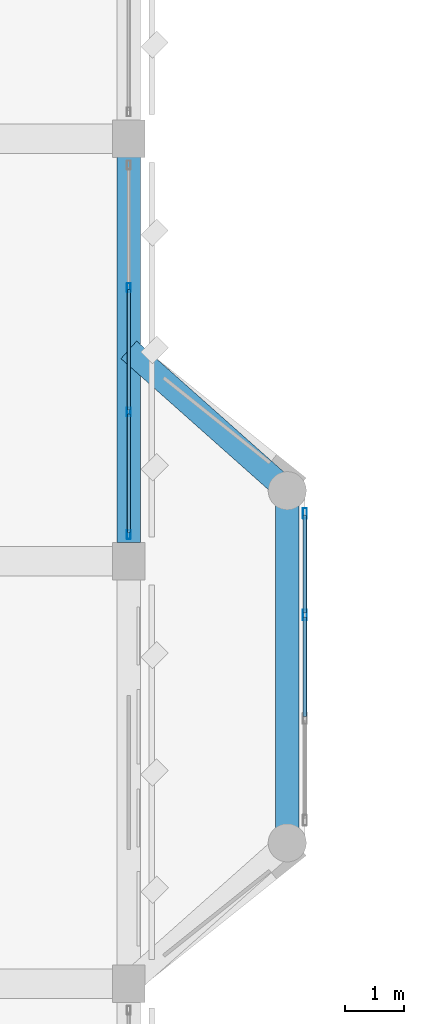
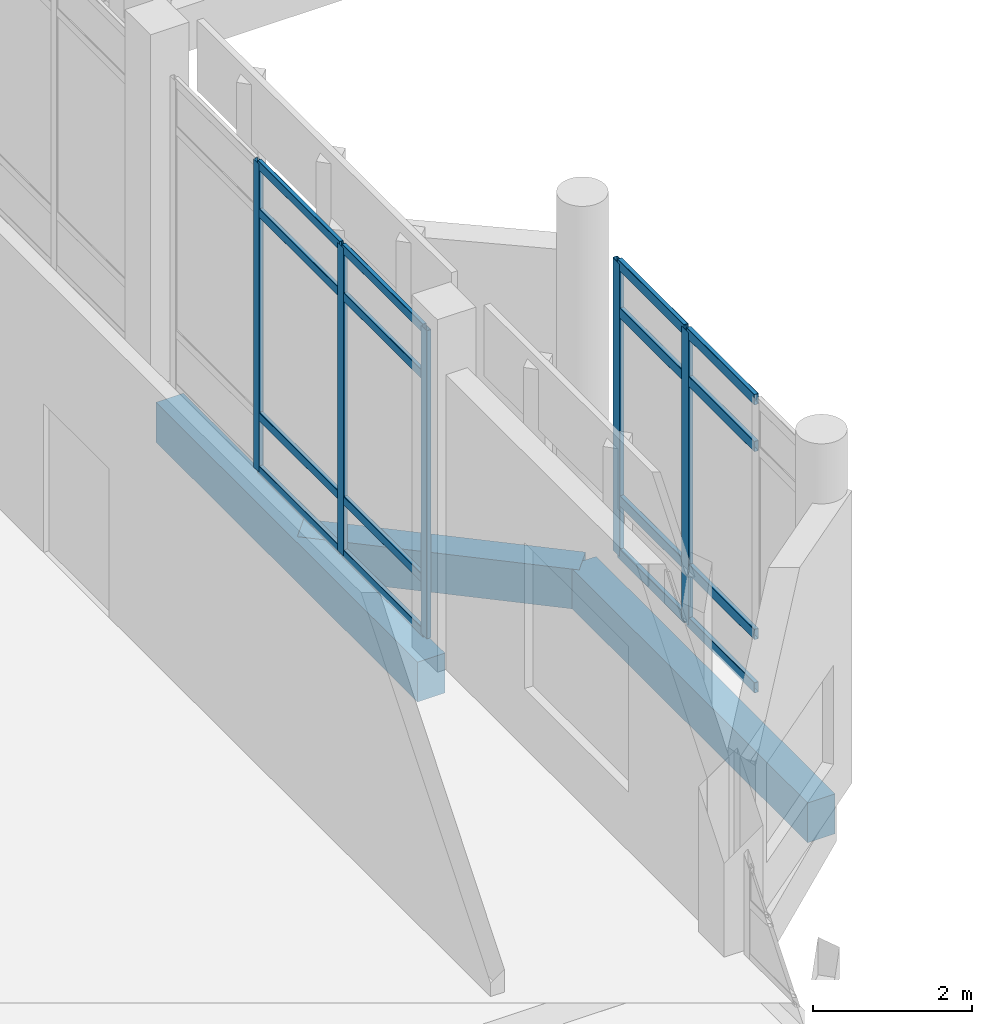
# One storey, part 62 of 180: 21 members, 3 beams, 2 elements without a shape of their own.
"""IFC4 building model written with IfcOpenShell, lengths in metres."""

from ifc_helpers import new_model, si_unit, direction, frame, origin, origin_2d, place, context, subcontext, project, spatial, rectangle, hollow_rectangle, extrude, material, material_profile, profile_set, type_object, element, aggregate, save


model = new_model("IFC4")

# Units and contexts
model_context = context("Model", 3, precision=1e-05, world=origin(), true_north=direction((0.0, 1.0)))
body_context = subcontext(model_context, "Body", "Model", "MODEL_VIEW")
ifc_project = project(units=[si_unit("LENGTHUNIT", "METRE"), si_unit("AREAUNIT", "SQUARE_METRE"), si_unit("VOLUMEUNIT", "CUBIC_METRE"), si_unit("PLANEANGLEUNIT", "RADIAN"), si_unit("MASSUNIT", "GRAM", prefix="KILO")], contexts=[model_context])

# Site, building, storey
site_placement = place(None, origin())
site = spatial("IfcSite", under=ifc_project, at=site_placement, CompositionType="ELEMENT")
building_placement = place(site_placement, origin())
building = spatial("IfcBuilding", under=site, at=building_placement, Name="Lusvemor Sports Hall", CompositionType="ELEMENT")
storey_placement = place(building_placement, frame((0.0, 0.0, 5.39990234375)))
storey = spatial("IfcBuildingStorey", under=building, at=storey_placement, Name="L01", CompositionType="ELEMENT", Elevation=5.39990234375)

# Curtain wall, members
ifc_material_1 = material(Name="Thermally broken bronze-anodized aluminium", Category="aluminium")
curtain_wall_type_1 = type_object("IfcCurtainWallType", Name="CW_FOYER_A", PredefinedType="NOTDEFINED", material=ifc_material_1)
curtain_wall_1_placement = place(storey_placement, origin())
curtain_wall_1 = element("IfcCurtainWall", 1, at=curtain_wall_1_placement, inside=storey, type_object=curtain_wall_type_1, Name="Curtain Wall CW-BOW-CT-L01-M", PredefinedType="NOTDEFINED")
ifc_material_2 = material(Name="Thermally broken bronze-anodized aluminium", Category="aluminium")
ifc_material_profile_1 = material_profile(ifc_material_2, hollow_rectangle(XDim=0.070068359375, YDim=0.179931640625, WallThickness=0.0048828125, InnerFilletRadius=0.0048828125, OuterFilletRadius=0.010009765625, at=origin_2d()), Name="CWMUL180x70x5")
ifc_profile_set_1 = profile_set([ifc_material_profile_1], Name="Thermally broken bronze-anodized aluminium")
member_type_1 = type_object("IfcMemberType", Name="CW_MUL_A", PredefinedType="MULLION", material=ifc_profile_set_1)
member_1_placement = place(storey_placement, frame((24.60009765625, 83.614990234375, 0.0), z_axis=(0.0, 0.0, 1.0), x_axis=(1.0, 0.0, 0.0)))
member_1 = element("IfcMember", 2, at=member_1_placement, type_object=member_type_1, Name="CW01 mullion 1", PredefinedType="MULLION", context=body_context, shape_type="SweptSolid", body=[
    extrude(hollow_rectangle(XDim=0.070068359375, YDim=0.179931640625, WallThickness=0.0048828125, InnerFilletRadius=0.0048828125, OuterFilletRadius=0.010009765625, at=origin_2d()), origin(), (0.0, 0.0, 1.0), 4.47998046875),
])
member_2_placement = place(storey_placement, frame((24.60009765625, 81.88330078125, 0.0), z_axis=(0.0, 0.0, 1.0), x_axis=(1.0, 0.0, 0.0)))
member_2 = element("IfcMember", 3, at=member_2_placement, type_object=member_type_1, Name="CW01 mullion 2", PredefinedType="MULLION", context=body_context, shape_type="SweptSolid", body=[
    extrude(hollow_rectangle(XDim=0.070068359375, YDim=0.179931640625, WallThickness=0.0048828125, InnerFilletRadius=0.0048828125, OuterFilletRadius=0.010009765625, at=origin_2d()), origin(), (0.0, 0.0, 1.0), 4.47998046875),
])

ifc_material_3 = material(Name="Thermally broken bronze-anodized aluminium", Category="aluminium")
curtain_wall_type_2 = type_object("IfcCurtainWallType", Name="CW_WING_B", PredefinedType="NOTDEFINED", material=ifc_material_3)
curtain_wall_2_placement = place(storey_placement, origin())
curtain_wall_2 = element("IfcCurtainWall", 4, at=curtain_wall_2_placement, inside=storey, type_object=curtain_wall_type_2, Name="Curtain Wall CW-L01-E-4-5", PredefinedType="NOTDEFINED")
ifc_material_4 = material(Name="Thermally broken bronze-anodized aluminium", Category="aluminium")
ifc_material_profile_2 = material_profile(ifc_material_4, hollow_rectangle(XDim=0.06494140625, YDim=0.14990234375, WallThickness=0.00390625, InnerFilletRadius=0.00390625, OuterFilletRadius=0.008056640625, at=origin_2d()), Name="CWMUL150x65x4")
ifc_profile_set_2 = profile_set([ifc_material_profile_2], Name="Thermally broken bronze-anodized aluminium")
member_type_2 = type_object("IfcMemberType", Name="CW_MUL_B", PredefinedType="MULLION", material=ifc_profile_set_2)
member_3_placement = place(storey_placement, frame((21.60009765625, 87.4599609375, 0.0), z_axis=(0.0, 0.0, 1.0), x_axis=(1.0, 0.0, 0.0)))
member_3 = element("IfcMember", 5, at=member_3_placement, type_object=member_type_2, Name="CW02 mullion 2", PredefinedType="MULLION", context=body_context, shape_type="SweptSolid", body=[
    extrude(hollow_rectangle(XDim=0.06494140625, YDim=0.14990234375, WallThickness=0.00390625, InnerFilletRadius=0.00390625, OuterFilletRadius=0.008056640625, at=origin_2d()), origin(), (0.0, 0.0, 1.0), 4.72021484375),
])
member_4_placement = place(storey_placement, frame((21.60009765625, 85.340087890625, 0.0), z_axis=(0.0, 0.0, 1.0), x_axis=(1.0, 0.0, 0.0)))
member_4 = element("IfcMember", 6, at=member_4_placement, type_object=member_type_2, Name="CW02 mullion 3", PredefinedType="MULLION", context=body_context, shape_type="SweptSolid", body=[
    extrude(hollow_rectangle(XDim=0.06494140625, YDim=0.14990234375, WallThickness=0.00390625, InnerFilletRadius=0.00390625, OuterFilletRadius=0.008056640625, at=origin_2d()), origin(), (0.0, 0.0, 1.0), 4.72021484375),
])
member_5_placement = place(storey_placement, frame((21.60009765625, 83.25244140625, 0.0), z_axis=(0.0, 0.0, 1.0), x_axis=(1.0, 0.0, 0.0)))
member_5 = element("IfcMember", 7, at=member_5_placement, type_object=member_type_2, Name="CW02 mullion 4", PredefinedType="MULLION", context=body_context, shape_type="SweptSolid", body=[
    extrude(hollow_rectangle(XDim=0.06494140625, YDim=0.14990234375, WallThickness=0.00390625, InnerFilletRadius=0.00390625, OuterFilletRadius=0.008056640625, at=origin_2d()), origin(), (0.0, 0.0, 1.0), 4.72021484375),
])

# Member
ifc_material_5 = material(Name="Thermally broken bronze-anodized aluminium", Category="aluminium")
ifc_material_profile_3 = material_profile(ifc_material_5, hollow_rectangle(XDim=0.06494140625, YDim=0.159912109375, WallThickness=0.00390625, InnerFilletRadius=0.00390625, OuterFilletRadius=0.008056640625, at=origin_2d()), Name="CWTRN160x65x4")
ifc_profile_set_3 = profile_set([ifc_material_profile_3], Name="Thermally broken bronze-anodized aluminium")
member_type_3 = type_object("IfcMemberType", Name="CW_TRN_A", PredefinedType="USERDEFINED", material=ifc_profile_set_3)
member_6_placement = place(storey_placement, frame((24.60009765625, 83.580078125, 0.03271484375), z_axis=(0.0, -1.0, 0.0), x_axis=(1.0, 0.0, 0.0)))
member_6 = element("IfcMember", 8, at=member_6_placement, type_object=member_type_3, Name="CW01 transom 1.1", ObjectType="TRANSOM", PredefinedType="USERDEFINED", context=body_context, shape_type="SweptSolid", body=[
    extrude(hollow_rectangle(XDim=0.06494140625, YDim=0.159912109375, WallThickness=0.00390625, InnerFilletRadius=0.00390625, OuterFilletRadius=0.008056640625, at=origin_2d()), origin(), (0.0, 0.0, 1.0), 1.661865234375),
])

member_7_placement = place(storey_placement, frame((24.60009765625, 83.580078125, 0.85009765625), z_axis=(0.0, -1.0, 0.0), x_axis=(1.0, 0.0, 0.0)))
member_7 = element("IfcMember", 9, at=member_7_placement, type_object=member_type_3, Name="CW01 transom 1.2", ObjectType="TRANSOM", PredefinedType="USERDEFINED", context=body_context, shape_type="SweptSolid", body=[
    extrude(hollow_rectangle(XDim=0.06494140625, YDim=0.159912109375, WallThickness=0.00390625, InnerFilletRadius=0.00390625, OuterFilletRadius=0.008056640625, at=origin_2d()), origin(), (0.0, 0.0, 1.0), 1.661865234375),
])

member_8_placement = place(storey_placement, frame((24.60009765625, 83.580078125, 3.72998046875), z_axis=(0.0, -1.0, 0.0), x_axis=(1.0, 0.0, 0.0)))
member_8 = element("IfcMember", 10, at=member_8_placement, type_object=member_type_3, Name="CW01 transom 1.3", ObjectType="TRANSOM", PredefinedType="USERDEFINED", context=body_context, shape_type="SweptSolid", body=[
    extrude(hollow_rectangle(XDim=0.06494140625, YDim=0.159912109375, WallThickness=0.00390625, InnerFilletRadius=0.00390625, OuterFilletRadius=0.008056640625, at=origin_2d()), origin(), (0.0, 0.0, 1.0), 1.661865234375),
])

member_9_placement = place(storey_placement, frame((24.60009765625, 83.580078125, 4.447509765625), z_axis=(0.0, -1.0, 0.0), x_axis=(1.0, 0.0, 0.0)))
member_9 = element("IfcMember", 11, at=member_9_placement, type_object=member_type_3, Name="CW01 transom 1.4", ObjectType="TRANSOM", PredefinedType="USERDEFINED", context=body_context, shape_type="SweptSolid", body=[
    extrude(hollow_rectangle(XDim=0.06494140625, YDim=0.159912109375, WallThickness=0.00390625, InnerFilletRadius=0.00390625, OuterFilletRadius=0.008056640625, at=origin_2d()), origin(), (0.0, 0.0, 1.0), 1.661865234375),
])

member_10_placement = place(storey_placement, frame((24.60009765625, 81.848388671875, 0.03271484375), z_axis=(0.0, -1.0, 0.0), x_axis=(1.0, 0.0, 0.0)))
member_10 = element("IfcMember", 12, at=member_10_placement, type_object=member_type_3, Name="CW01 transom 2.1", ObjectType="TRANSOM", PredefinedType="USERDEFINED", context=body_context, shape_type="SweptSolid", body=[
    extrude(hollow_rectangle(XDim=0.06494140625, YDim=0.159912109375, WallThickness=0.00390625, InnerFilletRadius=0.00390625, OuterFilletRadius=0.008056640625, at=origin_2d()), origin(), (0.0, 0.0, 1.0), 1.69677734375),
])

member_11_placement = place(storey_placement, frame((24.60009765625, 81.848388671875, 0.85009765625), z_axis=(0.0, -1.0, 0.0), x_axis=(1.0, 0.0, 0.0)))
member_11 = element("IfcMember", 13, at=member_11_placement, type_object=member_type_3, Name="CW01 transom 2.2", ObjectType="TRANSOM", PredefinedType="USERDEFINED", context=body_context, shape_type="SweptSolid", body=[
    extrude(hollow_rectangle(XDim=0.06494140625, YDim=0.159912109375, WallThickness=0.00390625, InnerFilletRadius=0.00390625, OuterFilletRadius=0.008056640625, at=origin_2d()), origin(), (0.0, 0.0, 1.0), 1.69677734375),
])

member_12_placement = place(storey_placement, frame((24.60009765625, 81.848388671875, 3.72998046875), z_axis=(0.0, -1.0, 0.0), x_axis=(1.0, 0.0, 0.0)))
member_12 = element("IfcMember", 14, at=member_12_placement, type_object=member_type_3, Name="CW01 transom 2.3", ObjectType="TRANSOM", PredefinedType="USERDEFINED", context=body_context, shape_type="SweptSolid", body=[
    extrude(hollow_rectangle(XDim=0.06494140625, YDim=0.159912109375, WallThickness=0.00390625, InnerFilletRadius=0.00390625, OuterFilletRadius=0.008056640625, at=origin_2d()), origin(), (0.0, 0.0, 1.0), 1.69677734375),
])

member_13_placement = place(storey_placement, frame((24.60009765625, 81.848388671875, 4.447509765625), z_axis=(0.0, -1.0, 0.0), x_axis=(1.0, 0.0, 0.0)))
member_13 = element("IfcMember", 15, at=member_13_placement, type_object=member_type_3, Name="CW01 transom 2.4", ObjectType="TRANSOM", PredefinedType="USERDEFINED", context=body_context, shape_type="SweptSolid", body=[
    extrude(hollow_rectangle(XDim=0.06494140625, YDim=0.159912109375, WallThickness=0.00390625, InnerFilletRadius=0.00390625, OuterFilletRadius=0.008056640625, at=origin_2d()), origin(), (0.0, 0.0, 1.0), 1.69677734375),
])

aggregate(curtain_wall_1, [member_1, member_2, member_6, member_7, member_8, member_9, member_10, member_11, member_12, member_13])

ifc_material_6 = material(Name="Thermally broken bronze-anodized aluminium", Category="aluminium")
ifc_material_profile_4 = material_profile(ifc_material_6, hollow_rectangle(XDim=0.06005859375, YDim=0.135009765625, WallThickness=0.00390625, InnerFilletRadius=0.00390625, OuterFilletRadius=0.008056640625, at=origin_2d()), Name="CWTRN135x60x4")
ifc_profile_set_4 = profile_set([ifc_material_profile_4], Name="Thermally broken bronze-anodized aluminium")
member_type_4 = type_object("IfcMemberType", Name="CW_TRN_B", PredefinedType="USERDEFINED", material=ifc_profile_set_4)
member_14_placement = place(storey_placement, frame((21.60009765625, 87.427490234375, 0.030029296875), z_axis=(0.0, -1.0, 0.0), x_axis=(1.0, 0.0, 0.0)))
member_14 = element("IfcMember", 16, at=member_14_placement, type_object=member_type_4, Name="CW02 transom 2.1", ObjectType="TRANSOM", PredefinedType="USERDEFINED", context=body_context, shape_type="SweptSolid", body=[
    extrude(hollow_rectangle(XDim=0.06005859375, YDim=0.135009765625, WallThickness=0.00390625, InnerFilletRadius=0.00390625, OuterFilletRadius=0.008056640625, at=origin_2d()), origin(), (0.0, 0.0, 1.0), 2.054931640625),
])

member_15_placement = place(storey_placement, frame((21.60009765625, 87.427490234375, 0.85009765625), z_axis=(0.0, -1.0, 0.0), x_axis=(1.0, 0.0, 0.0)))
member_15 = element("IfcMember", 17, at=member_15_placement, type_object=member_type_4, Name="CW02 transom 2.2", ObjectType="TRANSOM", PredefinedType="USERDEFINED", context=body_context, shape_type="SweptSolid", body=[
    extrude(hollow_rectangle(XDim=0.06005859375, YDim=0.135009765625, WallThickness=0.00390625, InnerFilletRadius=0.00390625, OuterFilletRadius=0.008056640625, at=origin_2d()), origin(), (0.0, 0.0, 1.0), 2.054931640625),
])

member_16_placement = place(storey_placement, frame((21.60009765625, 87.427490234375, 3.97021484375), z_axis=(0.0, -1.0, 0.0), x_axis=(1.0, 0.0, 0.0)))
member_16 = element("IfcMember", 18, at=member_16_placement, type_object=member_type_4, Name="CW02 transom 2.3", ObjectType="TRANSOM", PredefinedType="USERDEFINED", context=body_context, shape_type="SweptSolid", body=[
    extrude(hollow_rectangle(XDim=0.06005859375, YDim=0.135009765625, WallThickness=0.00390625, InnerFilletRadius=0.00390625, OuterFilletRadius=0.008056640625, at=origin_2d()), origin(), (0.0, 0.0, 1.0), 2.054931640625),
])

member_17_placement = place(storey_placement, frame((21.60009765625, 87.427490234375, 4.690185546875), z_axis=(0.0, -1.0, 0.0), x_axis=(1.0, 0.0, 0.0)))
member_17 = element("IfcMember", 19, at=member_17_placement, type_object=member_type_4, Name="CW02 transom 2.4", ObjectType="TRANSOM", PredefinedType="USERDEFINED", context=body_context, shape_type="SweptSolid", body=[
    extrude(hollow_rectangle(XDim=0.06005859375, YDim=0.135009765625, WallThickness=0.00390625, InnerFilletRadius=0.00390625, OuterFilletRadius=0.008056640625, at=origin_2d()), origin(), (0.0, 0.0, 1.0), 2.054931640625),
])

member_18_placement = place(storey_placement, frame((21.60009765625, 85.3076171875, 0.030029296875), z_axis=(0.0, -1.0, 0.0), x_axis=(1.0, 0.0, 0.0)))
member_18 = element("IfcMember", 20, at=member_18_placement, type_object=member_type_4, Name="CW02 transom 3.1", ObjectType="TRANSOM", PredefinedType="USERDEFINED", context=body_context, shape_type="SweptSolid", body=[
    extrude(hollow_rectangle(XDim=0.06005859375, YDim=0.135009765625, WallThickness=0.00390625, InnerFilletRadius=0.00390625, OuterFilletRadius=0.008056640625, at=origin_2d()), origin(), (0.0, 0.0, 1.0), 2.022705078125),
])

member_19_placement = place(storey_placement, frame((21.60009765625, 85.3076171875, 0.85009765625), z_axis=(0.0, -1.0, 0.0), x_axis=(1.0, 0.0, 0.0)))
member_19 = element("IfcMember", 21, at=member_19_placement, type_object=member_type_4, Name="CW02 transom 3.2", ObjectType="TRANSOM", PredefinedType="USERDEFINED", context=body_context, shape_type="SweptSolid", body=[
    extrude(hollow_rectangle(XDim=0.06005859375, YDim=0.135009765625, WallThickness=0.00390625, InnerFilletRadius=0.00390625, OuterFilletRadius=0.008056640625, at=origin_2d()), origin(), (0.0, 0.0, 1.0), 2.022705078125),
])

member_20_placement = place(storey_placement, frame((21.60009765625, 85.3076171875, 3.97021484375), z_axis=(0.0, -1.0, 0.0), x_axis=(1.0, 0.0, 0.0)))
member_20 = element("IfcMember", 22, at=member_20_placement, type_object=member_type_4, Name="CW02 transom 3.3", ObjectType="TRANSOM", PredefinedType="USERDEFINED", context=body_context, shape_type="SweptSolid", body=[
    extrude(hollow_rectangle(XDim=0.06005859375, YDim=0.135009765625, WallThickness=0.00390625, InnerFilletRadius=0.00390625, OuterFilletRadius=0.008056640625, at=origin_2d()), origin(), (0.0, 0.0, 1.0), 2.022705078125),
])

member_21_placement = place(storey_placement, frame((21.60009765625, 85.3076171875, 4.690185546875), z_axis=(0.0, -1.0, 0.0), x_axis=(1.0, 0.0, 0.0)))
member_21 = element("IfcMember", 23, at=member_21_placement, type_object=member_type_4, Name="CW02 transom 3.4", ObjectType="TRANSOM", PredefinedType="USERDEFINED", context=body_context, shape_type="SweptSolid", body=[
    extrude(hollow_rectangle(XDim=0.06005859375, YDim=0.135009765625, WallThickness=0.00390625, InnerFilletRadius=0.00390625, OuterFilletRadius=0.008056640625, at=origin_2d()), origin(), (0.0, 0.0, 1.0), 2.022705078125),
])

aggregate(curtain_wall_2, [member_3, member_4, member_5, member_14, member_15, member_16, member_17, member_18, member_19, member_20, member_21])

# Beams
ifc_material_7 = material(Name="Concrete C40/50", Category="concrete")
ifc_material_profile_5 = material_profile(ifc_material_7, rectangle(XDim=0.39990234375, YDim=0.610107421875, at=origin_2d()), Name="RC400x610")
ifc_profile_set_5 = profile_set([ifc_material_profile_5], Name="Concrete C40/50")
beam_type = type_object("IfcBeamType", Name="SPAND_EXT_650", PredefinedType="SPANDREL", material=ifc_profile_set_5)
beam_1_placement = place(storey_placement, frame((21.60009765625, 83.115966796875, -0.56494140625), z_axis=(0.0, 1.0, 0.0), x_axis=(-1.0, 0.0, 0.0)))
element("IfcBeam", 24, at=beam_1_placement, inside=storey, type_object=beam_type, Name="Beam L01 3:L-M", PredefinedType="SPANDREL", context=body_context, shape_type="SweptSolid", body=[
    extrude(rectangle(XDim=0.39990234375, YDim=0.610107421875, at=origin_2d()), origin(), (0.0, 0.0, 1.0), 6.568115234375),
])
beam_2_placement = place(storey_placement, frame((21.60009765625, 86.39990234375, -0.56494140625), z_axis=(0.747416776234, -0.66435544899, 0.0), x_axis=(0.66435544899, 0.747416776234, 0.0)))
element("IfcBeam", 25, at=beam_2_placement, inside=storey, type_object=beam_type, Name="Bow Pavilion Edge Beam BOW-CT L01-1", PredefinedType="SPANDREL", context=body_context, shape_type="SweptSolid", body=[
    extrude(rectangle(XDim=0.39990234375, YDim=0.610107421875, at=origin_2d()), origin(), (0.0, 0.0, 1.0), 3.6123046875),
])
beam_3_placement = place(storey_placement, frame((24.300048828125, 84.0, -0.56494140625), z_axis=(0.0, -1.0, 0.0), x_axis=(1.0, 0.0, 0.0)))
element("IfcBeam", 26, at=beam_3_placement, inside=storey, type_object=beam_type, Name="Bow Pavilion Edge Beam BOW-CT L01-2", PredefinedType="SPANDREL", context=body_context, shape_type="SweptSolid", body=[
    extrude(rectangle(XDim=0.39990234375, YDim=0.610107421875, at=origin_2d()), origin(), (0.0, 0.0, 1.0), 6.0),
])

save(model, "model.ifc")
